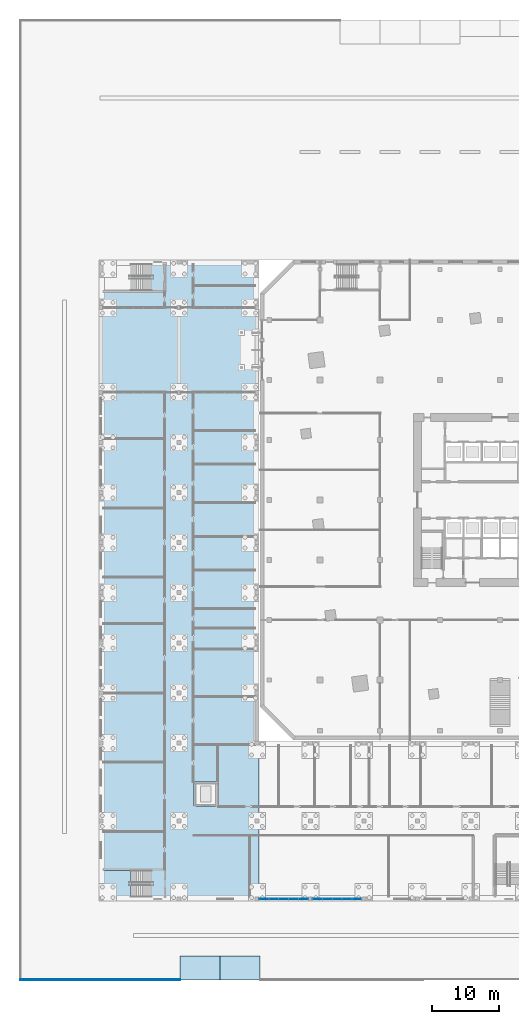
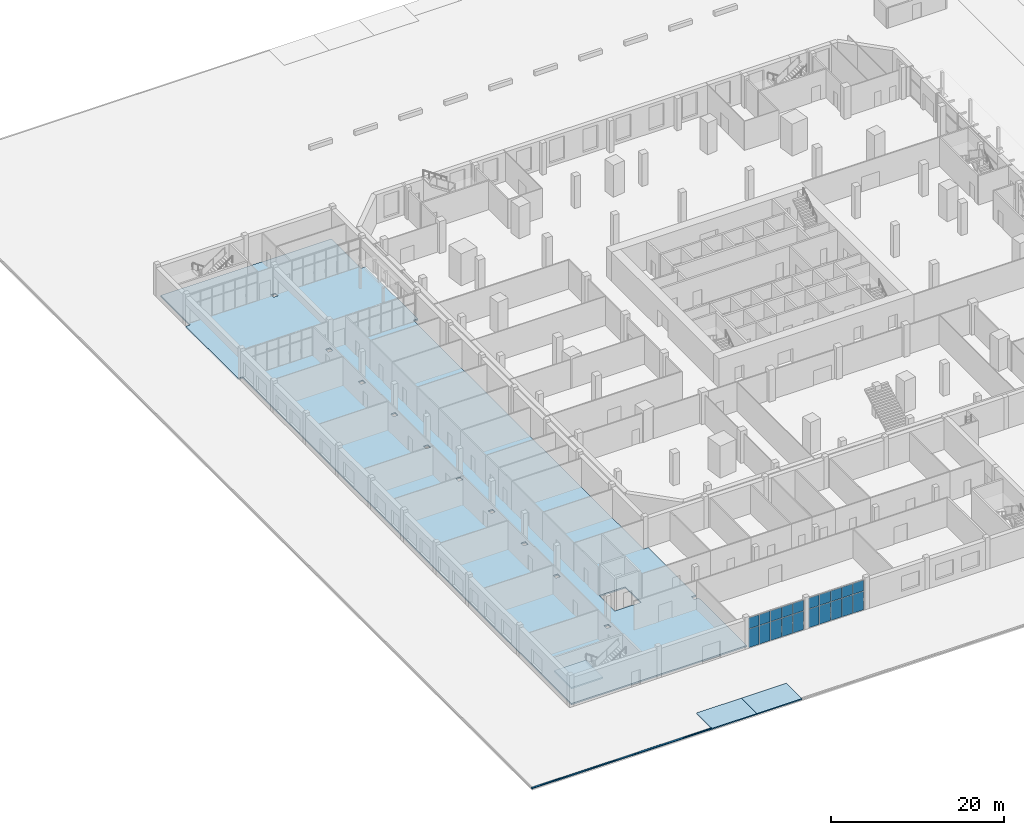
# One storey, part 15 of 42: 20 plates, 5 slabs, 3 elements without a shape of their own.
"""IFC4 building model written with IfcOpenShell, lengths in metres."""

from ifc_helpers import new_model, si_unit, direction, frame, origin, origin_2d, place, context, subcontext, project, spatial, polyline, rectangle, outline, extrude, material, layer, layer_set, type_object, element, aggregate, save


model = new_model("IFC4")

# Units and contexts
model_context = context("Model", 3, precision=1e-05, world=origin(), true_north=direction((0.0, 1.0)))
body_context = subcontext(model_context, "Body", "Model", "MODEL_VIEW")
ifc_project = project(units=[si_unit("LENGTHUNIT", "METRE"), si_unit("AREAUNIT", "SQUARE_METRE"), si_unit("VOLUMEUNIT", "CUBIC_METRE"), si_unit("PLANEANGLEUNIT", "RADIAN"), si_unit("MASSUNIT", "GRAM", prefix="KILO")], contexts=[model_context])

# Site, building, storey
site_placement = place(None, origin())
site = spatial("IfcSite", under=ifc_project, at=site_placement, CompositionType="ELEMENT")
building_placement = place(site_placement, origin())
building = spatial("IfcBuilding", under=site, at=building_placement, Name="Dilmun Exchange Tower", CompositionType="ELEMENT")
storey_placement = place(building_placement, origin())
storey = spatial("IfcBuildingStorey", under=building, at=storey_placement, Name="L00", CompositionType="ELEMENT", Elevation=0.0)

# Slabs
ifc_material_1 = material(Name="Granite paving on Concrete C20/25 bed", Category="masonry")
ifc_layer_1 = layer(ifc_material_1, 0.14990234375)
ifc_layer_set_1 = layer_set([ifc_layer_1], Name="Granite paving on Concrete C20/25 bed")
slab_type_1 = type_object("IfcSlabType", Name="Boundary kerb course 150 granite", PredefinedType="USERDEFINED", material=ifc_layer_set_1)
slab_1_placement = place(storey_placement, frame((0.0, 0.0, -0.14990234375)))
element("IfcSlab", 1, at=slab_1_placement, inside=storey, type_object=slab_type_1, Name="Boundary kerb", ObjectType="PAVING", PredefinedType="USERDEFINED", context=body_context, shape_type="SweptSolid", body=[
    extrude(outline(polyline([(-48.0, -71.85009765625), (-48.0, -72.0), (-72.0, -72.0), (-72.0, -71.85009765625), (-48.0, -71.85009765625)])), origin(), (0.0, 0.0, 1.0), 0.14990234375),
])
ifc_layer_2 = layer(ifc_material_1, 0.14990234375)
ifc_layer_set_2 = layer_set([ifc_layer_2], Name="Granite paving on Concrete C20/25 bed")
slab_type_2 = type_object("IfcSlabType", Name="Parking bay surface 150", PredefinedType="USERDEFINED", material=ifc_layer_set_2)
slab_2_placement = place(storey_placement, frame((0.0, 0.0, -0.14990234375)))
element("IfcSlab", 2, at=slab_2_placement, inside=storey, type_object=slab_type_2, Name="Accessible bay AB9", ObjectType="PAVING", PredefinedType="USERDEFINED", context=body_context, shape_type="SweptSolid", body=[
    extrude(outline(polyline([(-48.0, -72.0), (-48.0, -68.39990234375), (-42.0, -68.39990234375), (-42.0, -72.0), (-48.0, -72.0)])), origin(), (0.0, 0.0, 1.0), 0.14990234375),
])
slab_3_placement = place(storey_placement, frame((0.0, 0.0, -0.14990234375)))
element("IfcSlab", 3, at=slab_3_placement, inside=storey, type_object=slab_type_2, Name="Accessible bay AB10", ObjectType="PAVING", PredefinedType="USERDEFINED", context=body_context, shape_type="SweptSolid", body=[
    extrude(outline(polyline([(-42.0, -72.0), (-42.0, -68.39990234375), (-36.0, -68.39990234375), (-36.0, -72.0), (-42.0, -72.0)])), origin(), (0.0, 0.0, 1.0), 0.14990234375),
])

# Curtain wall, plates
ifc_material_2 = material(Name="Aluminium", Category="aluminium")
curtain_wall_type = type_object("IfcCurtainWallType", Name="School arcade glazing", PredefinedType="NOTDEFINED", material=ifc_material_2)
curtain_wall_1_placement = place(storey_placement, origin())
curtain_wall_1 = element("IfcCurtainWall", 4, at=curtain_wall_1_placement, inside=storey, type_object=curtain_wall_type, Name="School arcade glazing", PredefinedType="NOTDEFINED")
ifc_material_3 = material(Name="Clear low-emissivity glass in aluminium frame", Category="aluminium")
ifc_layer_3 = layer(ifc_material_3, 0.028076171875)
ifc_layer_set_3 = layer_set([ifc_layer_3], Name="Clear low-emissivity glass in aluminium frame")
plate_type = type_object("IfcPlateType", Name="School arcade glazing panel 28", PredefinedType="CURTAIN_PANEL", material=ifc_layer_set_3)
plate_1_placement = place(storey_placement, frame((-21.473388671875, -59.85009765625, -0.14013671875), z_axis=(0.0, 0.0, 1.0), x_axis=(-1.0, 0.0, 0.0)))
plate_1 = element("IfcPlate", 5, at=plate_1_placement, type_object=plate_type, Name="SCH-CW1 panel 1.1", PredefinedType="CURTAIN_PANEL", context=body_context, shape_type="SweptSolid", body=[
    extrude(rectangle(XDim=1.393310546875, YDim=0.028076171875, at=origin_2d()), origin(), (0.0, 0.0, 1.0), 2.610107421875),
])
plate_2_placement = place(storey_placement, frame((-21.473388671875, -59.85009765625, 2.52978515625), z_axis=(0.0, 0.0, 1.0), x_axis=(-1.0, 0.0, 0.0)))
plate_2 = element("IfcPlate", 6, at=plate_2_placement, type_object=plate_type, Name="SCH-CW1 panel 1.2", PredefinedType="CURTAIN_PANEL", context=body_context, shape_type="SweptSolid", body=[
    extrude(rectangle(XDim=1.393310546875, YDim=0.028076171875, at=origin_2d()), origin(), (0.0, 0.0, 1.0), 1.510009765625),
])
plate_3_placement = place(storey_placement, frame((-22.941650390625, -59.85009765625, -0.14013671875), z_axis=(0.0, 0.0, 1.0), x_axis=(-1.0, 0.0, 0.0)))
plate_3 = element("IfcPlate", 7, at=plate_3_placement, type_object=plate_type, Name="SCH-CW1 panel 2.1", PredefinedType="CURTAIN_PANEL", context=body_context, shape_type="SweptSolid", body=[
    extrude(rectangle(XDim=1.42333984375, YDim=0.028076171875, at=origin_2d()), origin(), (0.0, 0.0, 1.0), 2.610107421875),
])
plate_4_placement = place(storey_placement, frame((-22.941650390625, -59.85009765625, 2.52978515625), z_axis=(0.0, 0.0, 1.0), x_axis=(-1.0, 0.0, 0.0)))
plate_4 = element("IfcPlate", 8, at=plate_4_placement, type_object=plate_type, Name="SCH-CW1 panel 2.2", PredefinedType="CURTAIN_PANEL", context=body_context, shape_type="SweptSolid", body=[
    extrude(rectangle(XDim=1.42333984375, YDim=0.028076171875, at=origin_2d()), origin(), (0.0, 0.0, 1.0), 1.510009765625),
])
plate_5_placement = place(storey_placement, frame((-24.425048828125, -59.85009765625, -0.14013671875), z_axis=(0.0, 0.0, 1.0), x_axis=(-1.0, 0.0, 0.0)))
plate_5 = element("IfcPlate", 9, at=plate_5_placement, type_object=plate_type, Name="SCH-CW1 panel 3.1", PredefinedType="CURTAIN_PANEL", context=body_context, shape_type="SweptSolid", body=[
    extrude(rectangle(XDim=1.42333984375, YDim=0.028076171875, at=origin_2d()), origin(), (0.0, 0.0, 1.0), 2.610107421875),
])
plate_6_placement = place(storey_placement, frame((-24.425048828125, -59.85009765625, 2.52978515625), z_axis=(0.0, 0.0, 1.0), x_axis=(-1.0, 0.0, 0.0)))
plate_6 = element("IfcPlate", 10, at=plate_6_placement, type_object=plate_type, Name="SCH-CW1 panel 3.2", PredefinedType="CURTAIN_PANEL", context=body_context, shape_type="SweptSolid", body=[
    extrude(rectangle(XDim=1.42333984375, YDim=0.028076171875, at=origin_2d()), origin(), (0.0, 0.0, 1.0), 1.510009765625),
])
plate_7_placement = place(storey_placement, frame((-25.908203125, -59.85009765625, -0.14013671875), z_axis=(0.0, 0.0, 1.0), x_axis=(-1.0, 0.0, 0.0)))
plate_7 = element("IfcPlate", 11, at=plate_7_placement, type_object=plate_type, Name="SCH-CW1 panel 4.1", PredefinedType="CURTAIN_PANEL", context=body_context, shape_type="SweptSolid", body=[
    extrude(rectangle(XDim=1.42333984375, YDim=0.028076171875, at=origin_2d()), origin(), (0.0, 0.0, 1.0), 2.610107421875),
])
plate_8_placement = place(storey_placement, frame((-25.908203125, -59.85009765625, 2.52978515625), z_axis=(0.0, 0.0, 1.0), x_axis=(-1.0, 0.0, 0.0)))
plate_8 = element("IfcPlate", 12, at=plate_8_placement, type_object=plate_type, Name="SCH-CW1 panel 4.2", PredefinedType="CURTAIN_PANEL", context=body_context, shape_type="SweptSolid", body=[
    extrude(rectangle(XDim=1.42333984375, YDim=0.028076171875, at=origin_2d()), origin(), (0.0, 0.0, 1.0), 1.510009765625),
])
plate_9_placement = place(storey_placement, frame((-27.376708984375, -59.85009765625, -0.14013671875), z_axis=(0.0, 0.0, 1.0), x_axis=(-1.0, 0.0, 0.0)))
plate_9 = element("IfcPlate", 13, at=plate_9_placement, type_object=plate_type, Name="SCH-CW1 panel 5.1", PredefinedType="CURTAIN_PANEL", context=body_context, shape_type="SweptSolid", body=[
    extrude(rectangle(XDim=1.393310546875, YDim=0.028076171875, at=origin_2d()), origin(), (0.0, 0.0, 1.0), 2.610107421875),
])
plate_10_placement = place(storey_placement, frame((-27.376708984375, -59.85009765625, 2.52978515625), z_axis=(0.0, 0.0, 1.0), x_axis=(-1.0, 0.0, 0.0)))
plate_10 = element("IfcPlate", 14, at=plate_10_placement, type_object=plate_type, Name="SCH-CW1 panel 5.2", PredefinedType="CURTAIN_PANEL", context=body_context, shape_type="SweptSolid", body=[
    extrude(rectangle(XDim=1.393310546875, YDim=0.028076171875, at=origin_2d()), origin(), (0.0, 0.0, 1.0), 1.510009765625),
])
aggregate(curtain_wall_1, [plate_1, plate_2, plate_3, plate_4, plate_5, plate_6, plate_7, plate_8, plate_9, plate_10])

curtain_wall_2_placement = place(storey_placement, origin())
curtain_wall_2 = element("IfcCurtainWall", 15, at=curtain_wall_2_placement, inside=storey, type_object=curtain_wall_type, Name="School arcade glazing", PredefinedType="NOTDEFINED")
plate_11_placement = place(storey_placement, frame((-29.489990234375, -59.85009765625, -0.14013671875), z_axis=(0.0, 0.0, 1.0), x_axis=(-1.0, 0.0, 0.0)))
plate_11 = element("IfcPlate", 16, at=plate_11_placement, type_object=plate_type, Name="SCH-CW1 panel 1.1", PredefinedType="CURTAIN_PANEL", context=body_context, shape_type="SweptSolid", body=[
    extrude(rectangle(XDim=1.393310546875, YDim=0.028076171875, at=origin_2d()), origin(), (0.0, 0.0, 1.0), 2.610107421875),
])
plate_12_placement = place(storey_placement, frame((-29.489990234375, -59.85009765625, 2.52978515625), z_axis=(0.0, 0.0, 1.0), x_axis=(-1.0, 0.0, 0.0)))
plate_12 = element("IfcPlate", 17, at=plate_12_placement, type_object=plate_type, Name="SCH-CW1 panel 1.2", PredefinedType="CURTAIN_PANEL", context=body_context, shape_type="SweptSolid", body=[
    extrude(rectangle(XDim=1.393310546875, YDim=0.028076171875, at=origin_2d()), origin(), (0.0, 0.0, 1.0), 1.510009765625),
])
plate_13_placement = place(storey_placement, frame((-30.958251953125, -59.85009765625, -0.14013671875), z_axis=(0.0, 0.0, 1.0), x_axis=(-1.0, 0.0, 0.0)))
plate_13 = element("IfcPlate", 18, at=plate_13_placement, type_object=plate_type, Name="SCH-CW1 panel 2.1", PredefinedType="CURTAIN_PANEL", context=body_context, shape_type="SweptSolid", body=[
    extrude(rectangle(XDim=1.42333984375, YDim=0.028076171875, at=origin_2d()), origin(), (0.0, 0.0, 1.0), 2.610107421875),
])
plate_14_placement = place(storey_placement, frame((-30.958251953125, -59.85009765625, 2.52978515625), z_axis=(0.0, 0.0, 1.0), x_axis=(-1.0, 0.0, 0.0)))
plate_14 = element("IfcPlate", 19, at=plate_14_placement, type_object=plate_type, Name="SCH-CW1 panel 2.2", PredefinedType="CURTAIN_PANEL", context=body_context, shape_type="SweptSolid", body=[
    extrude(rectangle(XDim=1.42333984375, YDim=0.028076171875, at=origin_2d()), origin(), (0.0, 0.0, 1.0), 1.510009765625),
])
plate_15_placement = place(storey_placement, frame((-32.441650390625, -59.85009765625, -0.14013671875), z_axis=(0.0, 0.0, 1.0), x_axis=(-1.0, 0.0, 0.0)))
plate_15 = element("IfcPlate", 20, at=plate_15_placement, type_object=plate_type, Name="SCH-CW1 panel 3.1", PredefinedType="CURTAIN_PANEL", context=body_context, shape_type="SweptSolid", body=[
    extrude(rectangle(XDim=1.42333984375, YDim=0.028076171875, at=origin_2d()), origin(), (0.0, 0.0, 1.0), 2.610107421875),
])
plate_16_placement = place(storey_placement, frame((-32.441650390625, -59.85009765625, 2.52978515625), z_axis=(0.0, 0.0, 1.0), x_axis=(-1.0, 0.0, 0.0)))
plate_16 = element("IfcPlate", 21, at=plate_16_placement, type_object=plate_type, Name="SCH-CW1 panel 3.2", PredefinedType="CURTAIN_PANEL", context=body_context, shape_type="SweptSolid", body=[
    extrude(rectangle(XDim=1.42333984375, YDim=0.028076171875, at=origin_2d()), origin(), (0.0, 0.0, 1.0), 1.510009765625),
])
plate_17_placement = place(storey_placement, frame((-33.925048828125, -59.85009765625, -0.14013671875), z_axis=(0.0, 0.0, 1.0), x_axis=(-1.0, 0.0, 0.0)))
plate_17 = element("IfcPlate", 22, at=plate_17_placement, type_object=plate_type, Name="SCH-CW1 panel 4.1", PredefinedType="CURTAIN_PANEL", context=body_context, shape_type="SweptSolid", body=[
    extrude(rectangle(XDim=1.42333984375, YDim=0.028076171875, at=origin_2d()), origin(), (0.0, 0.0, 1.0), 2.610107421875),
])
plate_18_placement = place(storey_placement, frame((-33.925048828125, -59.85009765625, 2.52978515625), z_axis=(0.0, 0.0, 1.0), x_axis=(-1.0, 0.0, 0.0)))
plate_18 = element("IfcPlate", 23, at=plate_18_placement, type_object=plate_type, Name="SCH-CW1 panel 4.2", PredefinedType="CURTAIN_PANEL", context=body_context, shape_type="SweptSolid", body=[
    extrude(rectangle(XDim=1.42333984375, YDim=0.028076171875, at=origin_2d()), origin(), (0.0, 0.0, 1.0), 1.510009765625),
])
plate_19_placement = place(storey_placement, frame((-35.393310546875, -59.85009765625, -0.14013671875), z_axis=(0.0, 0.0, 1.0), x_axis=(-1.0, 0.0, 0.0)))
plate_19 = element("IfcPlate", 24, at=plate_19_placement, type_object=plate_type, Name="SCH-CW1 panel 5.1", PredefinedType="CURTAIN_PANEL", context=body_context, shape_type="SweptSolid", body=[
    extrude(rectangle(XDim=1.393310546875, YDim=0.028076171875, at=origin_2d()), origin(), (0.0, 0.0, 1.0), 2.610107421875),
])
plate_20_placement = place(storey_placement, frame((-35.393310546875, -59.85009765625, 2.52978515625), z_axis=(0.0, 0.0, 1.0), x_axis=(-1.0, 0.0, 0.0)))
plate_20 = element("IfcPlate", 25, at=plate_20_placement, type_object=plate_type, Name="SCH-CW1 panel 5.2", PredefinedType="CURTAIN_PANEL", context=body_context, shape_type="SweptSolid", body=[
    extrude(rectangle(XDim=1.393310546875, YDim=0.028076171875, at=origin_2d()), origin(), (0.0, 0.0, 1.0), 1.510009765625),
])
aggregate(curtain_wall_2, [plate_11, plate_12, plate_13, plate_14, plate_15, plate_16, plate_17, plate_18, plate_19, plate_20])

# Slab
ifc_material_4 = material(Name="Concrete C40/50", Category="concrete")
ifc_layer_4 = layer(ifc_material_4, 0.199951171875)
ifc_layer_set_4 = layer_set([ifc_layer_4], Name="Concrete C40/50")
slab_type_3 = type_object("IfcSlabType", Name="School slab on grade 200", PredefinedType="BASESLAB", material=ifc_layer_set_4)
slab_4_placement = place(storey_placement, frame((0.0, 0.0, -0.199951171875)))
element("IfcSlab", 26, at=slab_4_placement, inside=storey, type_object=slab_type_3, Name="School slab L00", PredefinedType="BASESLAB", context=body_context, shape_type="SweptSolid", body=[
    extrude(outline(polyline([(-60.14990234375, 16.449951171875), (-60.14990234375, 28.550048828125), (-59.550048828125, 28.550048828125), (-59.550048828125, 35.39990234375), (-36.75, 35.39990234375), (-36.75, 29.14990234375), (-36.75, 28.550048828125), (-36.14990234375, 28.550048828125), (-36.14990234375, 16.449951171875), (-36.75, 16.449951171875), (-36.75, 15.85009765625), (-36.75, 8.93603515625), (-36.75, 8.3359375), (-36.75, 1.4208984375), (-36.75, 0.821044921875), (-36.75, -6.093017578125), (-36.75, -6.693115234375), (-36.75, -13.60693359375), (-36.75, -14.20703125), (-36.75, -21.12109375), (-36.75, -21.720947265625), (-36.75, -28.635986328125), (-36.75, -29.236083984375), (-36.75, -36.14990234375), (-36.75, -36.75), (-36.14990234375, -36.75), (-36.14990234375, -47.85009765625), (-36.75, -47.85009765625), (-36.75, -48.449951171875), (-36.14990234375, -48.449951171875), (-36.14990234375, -59.550048828125), (-59.550048828125, -59.550048828125), (-59.550048828125, 16.449951171875), (-60.14990234375, 16.449951171875)]), holes=[polyline([(-48.449951171875, -21.12109375), (-48.449951171875, -21.720947265625), (-47.85009765625, -21.720947265625), (-47.85009765625, -21.12109375), (-48.449951171875, -21.12109375)]), polyline([(-48.449951171875, -13.60693359375), (-48.449951171875, -14.20703125), (-47.85009765625, -14.20703125), (-47.85009765625, -13.60693359375), (-48.449951171875, -13.60693359375)]), polyline([(-48.449951171875, -6.093017578125), (-48.449951171875, -6.693115234375), (-47.85009765625, -6.693115234375), (-47.85009765625, -6.093017578125), (-48.449951171875, -6.093017578125)]), polyline([(-48.449951171875, 1.4208984375), (-48.449951171875, 0.821044921875), (-47.85009765625, 0.821044921875), (-47.85009765625, 1.4208984375), (-48.449951171875, 1.4208984375)]), polyline([(-48.449951171875, 8.93603515625), (-48.449951171875, 8.3359375), (-47.85009765625, 8.3359375), (-47.85009765625, 8.93603515625), (-48.449951171875, 8.93603515625)]), polyline([(-48.449951171875, 16.449951171875), (-48.449951171875, 15.85009765625), (-47.85009765625, 15.85009765625), (-47.85009765625, 16.449951171875), (-48.449951171875, 16.449951171875)]), polyline([(-48.449951171875, 29.14990234375), (-48.449951171875, 28.550048828125), (-47.85009765625, 28.550048828125), (-47.85009765625, 29.14990234375), (-48.449951171875, 29.14990234375)]), polyline([(-48.449951171875, -47.85009765625), (-48.449951171875, -48.449951171875), (-47.85009765625, -48.449951171875), (-47.85009765625, -47.85009765625), (-48.449951171875, -47.85009765625)]), polyline([(-48.449951171875, -36.14990234375), (-48.449951171875, -36.75), (-47.85009765625, -36.75), (-47.85009765625, -36.14990234375), (-48.449951171875, -36.14990234375)]), polyline([(-48.449951171875, -28.635986328125), (-48.449951171875, -29.236083984375), (-47.85009765625, -29.236083984375), (-47.85009765625, -28.635986328125), (-48.449951171875, -28.635986328125)]), polyline([(-45.90087890625, -45.90087890625), (-42.39892578125, -45.90087890625), (-42.39892578125, -42.299072265625), (-45.90087890625, -42.299072265625), (-45.90087890625, -45.90087890625)])]), origin(), (0.0, 0.0, 1.0), 0.199951171875),
])

# Stair, slab
stair_type = type_object("IfcStairType", Name="School exit stair 1850 wide", PredefinedType="HALF_TURN_STAIR", material=ifc_material_4)
stair_placement = place(storey_placement, origin())
stair = element("IfcStair", 27, at=stair_placement, inside=storey, type_object=stair_type, Name="L00 Stair S2", PredefinedType="HALF_TURN_STAIR")
ifc_layer_5 = layer(ifc_material_4, 0.199951171875)
ifc_layer_set_5 = layer_set([ifc_layer_5], Name="Concrete C40/50")
slab_type_4 = type_object("IfcSlabType", Name="School stair landing 200", PredefinedType="LANDING", material=ifc_layer_set_5)
slab_5_placement = place(storey_placement, frame((0.0, 0.0, 2.050048828125)))
slab_5 = element("IfcSlab", 28, at=slab_5_placement, type_object=slab_type_4, Name="SCH-S2 landing 1", PredefinedType="LANDING", context=body_context, shape_type="SweptSolid", body=[
    extrude(outline(polyline([(-55.330078125, -55.550048828125), (-59.550048828125, -55.550048828125), (-59.550048828125, -59.550048828125), (-55.330078125, -59.550048828125), (-55.330078125, -55.550048828125)])), origin(), (0.0, 0.0, 1.0), 0.199951171875),
])
aggregate(stair, [slab_5])

save(model, "model.ifc")
